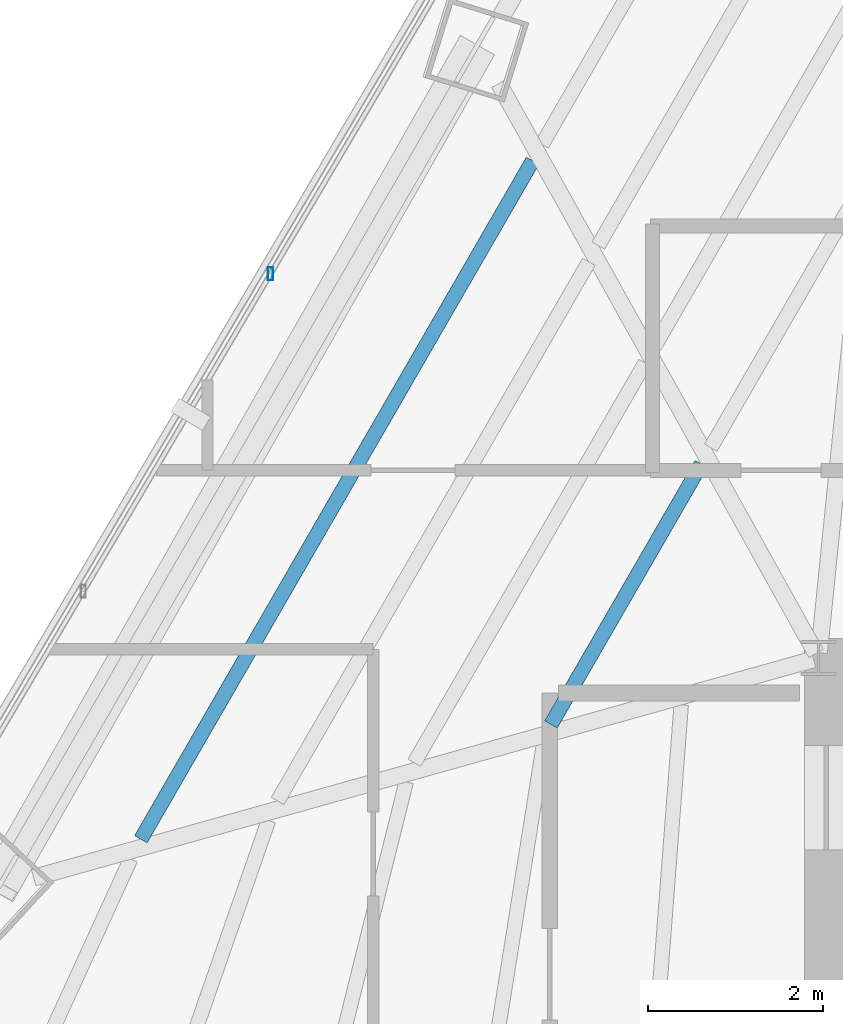
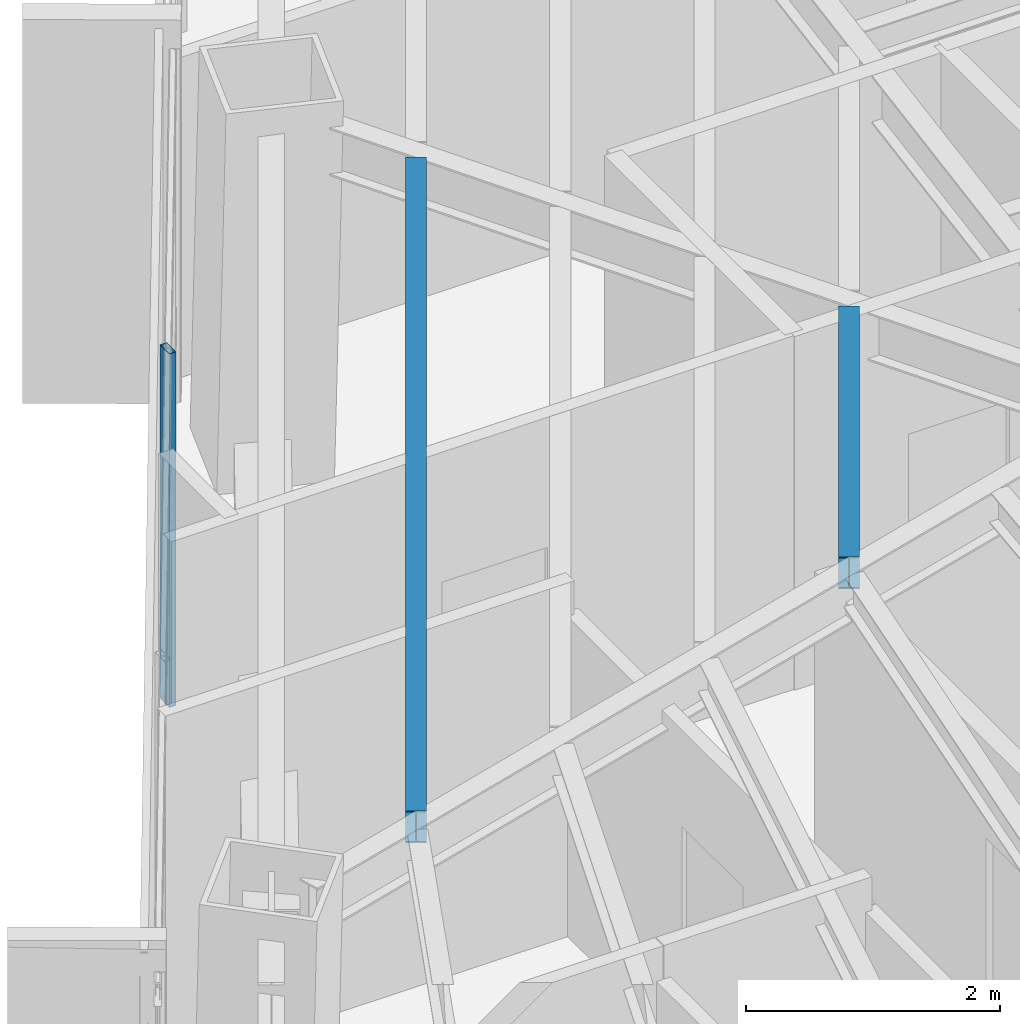
# One storey, part 15 of 41: 2 beams, 1 member, 1 element without a shape of its own.
"""IFC4 building model written with IfcOpenShell, lengths in metres."""

import ifcopenshell
import ifcopenshell.guid

model = None  # the IFC model being written
_history = None  # IfcOwnerHistory: only IFC2X3 demands one
_inside = {}  # id of a spatial element -> (the spatial element, [elements in it])
_under = {}  # id of a project, library or spatial element -> (it, [spatial elements below it])
_declared = {}  # id of a project -> (the project, [libraries it declares])
_typed = {}  # id of a type object -> (the type object, [elements of that type])
_made_of = {}  # id of a material, layer set ... -> (it, [elements and type objects made of it])


def new_model(schema):
    """Start an empty IFC model of exactly this schema.

    Asked for "IFC4X3", IfcOpenShell would pick the latest addendum, in which some entities
    have other attributes; the version numbers below select the first issue.
    IFC2X3 requires an IfcOwnerHistory on every rooted entity: one is made here for all.
    """
    global model, _history
    if schema == "IFC4X3":
        model = ifcopenshell.file(schema_version=(4, 3, 0, 0))
    else:
        model = ifcopenshell.file(schema=schema)
    _inside.clear()
    _under.clear()
    _declared.clear()
    _typed.clear()
    _made_of.clear()
    _history = None
    if model.schema == "IFC2X3":
        org = make("IfcOrganization", Name="unknown")
        user = make(
            "IfcPersonAndOrganization",
            ThePerson=make("IfcPerson", FamilyName="unknown"),
            TheOrganization=org,
        )
        app = make(
            "IfcApplication",
            ApplicationDeveloper=org,
            Version="unknown",
            ApplicationFullName="unknown",
            ApplicationIdentifier="unknown",
        )
        _history = make(
            "IfcOwnerHistory",
            OwningUser=user,
            OwningApplication=app,
            ChangeAction="ADDED",
            CreationDate=0,
        )
    return model


def make(cls, **values):
    """One entity of the class cls with the attributes given. An attribute that is None is left unset."""
    return model.create_entity(
        cls, **{name: value for name, value in values.items() if value is not None}
    )


def rooted(cls, **values):
    """An entity with a GlobalId (a new one), such as an element, a storey or a relation."""
    return make(cls, GlobalId=ifcopenshell.guid.new(), OwnerHistory=_history, **values)


def si_unit(unit_type, name, prefix=None):
    """IfcSIUnit, for example si_unit("LENGTHUNIT", "METRE", prefix="MILLI")."""
    return make("IfcSIUnit", UnitType=unit_type, Prefix=prefix, Name=name)


def assignment(units):
    """IfcUnitAssignment: the units of a project."""
    return None if units is None else make("IfcUnitAssignment", Units=units)


def point(xyz):
    """IfcCartesianPoint."""
    return None if xyz is None else make("IfcCartesianPoint", Coordinates=xyz)


def direction(xyz):
    """IfcDirection."""
    return None if xyz is None else make("IfcDirection", DirectionRatios=xyz)


def frame(location, z_axis=None, x_axis=None):
    """IfcAxis2Placement3D, a coordinate frame: its origin and axes. An axis left out is left unset."""
    return make(
        "IfcAxis2Placement3D",
        Location=point(location),
        Axis=direction(z_axis),
        RefDirection=direction(x_axis),
    )


def frame_2d(location, x_axis=None):
    """IfcAxis2Placement2D, a coordinate frame in the plane: its origin and x axis."""
    return make(
        "IfcAxis2Placement2D", Location=point(location), RefDirection=direction(x_axis)
    )


def origin():
    """The frame at (0, 0, 0) with its axes left unset."""
    return frame((0.0, 0.0, 0.0))


def origin_2d():
    """The frame at (0, 0) in the plane with its x axis left unset."""
    return frame_2d((0.0, 0.0))


def place(relative_to, where):
    """IfcLocalPlacement: puts the frame where relative to a parent placement (None: the world)."""
    return make(
        "IfcLocalPlacement", PlacementRelTo=relative_to, RelativePlacement=where
    )


def context(
    kind, dimensions, precision=None, world=None, true_north=None, identifier=None
):
    """IfcGeometricRepresentationContext, for example the 3D "Model" context."""
    return make(
        "IfcGeometricRepresentationContext",
        ContextIdentifier=identifier,
        ContextType=kind,
        CoordinateSpaceDimension=dimensions,
        Precision=precision,
        WorldCoordinateSystem=world,
        TrueNorth=true_north,
    )


def subcontext(parent, identifier, kind, view, scale=None):
    """IfcGeometricRepresentationSubContext, for example "Body" below "Model"."""
    return make(
        "IfcGeometricRepresentationSubContext",
        ContextIdentifier=identifier,
        ContextType=kind,
        ParentContext=parent,
        TargetScale=scale,
        TargetView=view,
    )


def project(units=None, contexts=None):
    """IfcProject with its units and contexts."""
    return rooted(
        "IfcProject",
        Name="project",
        RepresentationContexts=contexts,
        UnitsInContext=assignment(units),
    )


def spatial(cls, under=None, at=None, **own):
    """A site, building, storey or space (cls), placed at a placement, below another one or the project."""
    s = rooted(cls, ObjectPlacement=at, **own)
    if under is not None:
        _under.setdefault(under.id(), (under, []))[1].append(s)
    return s


def profile(cls, at=None, kind="AREA", **sizes):
    """A parametric profile (cls). Its sizes go by their IFC names, for example OverallWidth=200.0."""
    return make(cls, ProfileType=kind, Position=at, **sizes)


def hollow_rectangle(**sizes):
    """IfcRectangleHollowProfileDef."""
    return profile("IfcRectangleHollowProfileDef", **sizes)


def i_section(**sizes):
    """IfcIShapeProfileDef."""
    return profile("IfcIShapeProfileDef", **sizes)


def extrude(swept, where, along, depth):
    """IfcExtrudedAreaSolid: the profile swept, set in the frame where, extruded along a direction by depth."""
    return make(
        "IfcExtrudedAreaSolid",
        SweptArea=swept,
        Position=where,
        ExtrudedDirection=direction(along),
        Depth=depth,
    )


def shape(context_of_items, identifier, shape_type, items):
    """IfcShapeRepresentation: the items that make up one representation, for example the "Body"."""
    return make(
        "IfcShapeRepresentation",
        ContextOfItems=context_of_items,
        RepresentationIdentifier=identifier,
        RepresentationType=shape_type,
        Items=items,
    )


def source(mapping_origin, context_of_items, identifier, shape_type, items):
    """IfcRepresentationMap: a shape defined once, which mapped items show again and again."""
    return make(
        "IfcRepresentationMap",
        MappingOrigin=mapping_origin,
        MappedRepresentation=shape(context_of_items, identifier, shape_type, items),
    )


def transform(
    local_origin,
    x_axis=None,
    y_axis=None,
    z_axis=None,
    scale=None,
    scale2=None,
    scale3=None,
    uniform=True,
):
    """IfcCartesianTransformationOperator3D, or its non-uniform kind. x_axis, y_axis, z_axis: its Axis1, 2, 3."""
    if uniform:
        return make(
            "IfcCartesianTransformationOperator3D",
            Axis1=direction(x_axis),
            Axis2=direction(y_axis),
            LocalOrigin=point(local_origin),
            Scale=scale,
            Axis3=direction(z_axis),
        )
    return make(
        "IfcCartesianTransformationOperator3DnonUniform",
        Axis1=direction(x_axis),
        Axis2=direction(y_axis),
        LocalOrigin=point(local_origin),
        Scale=scale,
        Axis3=direction(z_axis),
        Scale2=scale2,
        Scale3=scale3,
    )


def mapped(mapping_source, mapping_target):
    """IfcMappedItem: shows the shape of a source again, moved by a transform."""
    return make(
        "IfcMappedItem", MappingSource=mapping_source, MappingTarget=mapping_target
    )


def material(Name=None, Category=None):
    """IfcMaterial."""
    return make("IfcMaterial", Name=Name, Category=Category)


def material_profile(
    of_material, cross_section, Name=None, Category=None, Priority=None
):
    """IfcMaterialProfile: a cross section and its material."""
    return make(
        "IfcMaterialProfile",
        Name=Name,
        Material=of_material,
        Profile=cross_section,
        Priority=Priority,
        Category=Category,
    )


def profile_set(profiles, Name=None, composite=None):
    """IfcMaterialProfileSet."""
    return make(
        "IfcMaterialProfileSet",
        Name=Name,
        MaterialProfiles=profiles,
        CompositeProfile=composite,
    )


def made_of(thing, what):
    """Note that an element or type object is made of a material, layer set ...; save() writes the relation."""
    if what is not None:
        _made_of.setdefault(what.id(), (what, []))[1].append(thing)
    return thing


def type_object(cls, material=None, **own):
    """A type object (cls), such as IfcWallType, which elements share."""
    return made_of(rooted(cls, **own), material)


def type_shapes(of_type, sources):
    """Give a type object the sources (RepresentationMaps) that its elements show as mapped items."""
    of_type.RepresentationMaps = sources


def element(
    cls,
    number,
    at=None,
    inside=None,
    cuts=None,
    type_object=None,
    material=None,
    context=None,
    identifier="Body",
    shape_type=None,
    held_by="IfcProductDefinitionShape",
    body=None,
    shapes=None,
    **own,
):
    """One element of the class cls, such as IfcWall. Its Tag is "e" and its number.

    at: its placement. inside: the storey or other place that contains it. cuts: it is an
    opening in that element (IfcRelVoidsElement). A single representation is given by context,
    identifier, shape_type and body (its items); several are given by shapes. held_by: the class
    of the entity that holds the representations. save() writes the other relations.
    """
    e = rooted(cls, Tag="e%d" % number, ObjectPlacement=at, **own)
    if body is not None:
        shapes = [shape(context, identifier, shape_type, body)]
    if shapes is not None:
        e.Representation = make(held_by, Representations=shapes)
    if inside is not None:
        _inside.setdefault(inside.id(), (inside, []))[1].append(e)
    if cuts is not None:
        rooted(
            "IfcRelVoidsElement", RelatingBuildingElement=cuts, RelatedOpeningElement=e
        )
    if type_object is not None:
        _typed.setdefault(type_object.id(), (type_object, []))[1].append(e)
    return made_of(e, material)


def aggregate(whole, parts):
    """IfcRelAggregates: a whole, such as a stair, and the parts it consists of."""
    return rooted("IfcRelAggregates", RelatingObject=whole, RelatedObjects=parts)


def save(model, path):
    """Write the relations noted so far, then the file.

    IfcRelAggregates (storeys below a building ...), IfcRelContainedInSpatialStructure (elements
    in a storey), IfcRelDefinesByType, IfcRelAssociatesMaterial and IfcRelDeclares: one each for
    every whole, place, type object, material and project.
    """
    for whole, parts in _under.values():
        aggregate(whole, parts)
    for where, things in _inside.values():
        rooted(
            "IfcRelContainedInSpatialStructure",
            RelatedElements=things,
            RelatingStructure=where,
        )
    for kind, things in _typed.values():
        rooted("IfcRelDefinesByType", RelatedObjects=things, RelatingType=kind)
    for what, things in _made_of.values():
        rooted("IfcRelAssociatesMaterial", RelatedObjects=things, RelatingMaterial=what)
    for by, libraries in _declared.values():
        rooted("IfcRelDeclares", RelatingContext=by, RelatedDefinitions=libraries)
    model.write(path)


model = new_model("IFC4")

# Units and contexts
model_context = context("Model", 3, precision=1e-05, world=origin(), true_north=direction((0.0, 1.0)))
body_context = subcontext(model_context, "Body", "Model", "MODEL_VIEW")
ifc_project = project(units=[si_unit("LENGTHUNIT", "METRE"), si_unit("AREAUNIT", "SQUARE_METRE"), si_unit("VOLUMEUNIT", "CUBIC_METRE"), si_unit("PLANEANGLEUNIT", "RADIAN"), si_unit("MASSUNIT", "GRAM", prefix="KILO")], contexts=[model_context])

# Site, building, storey
site_placement = place(None, origin())
site = spatial("IfcSite", under=ifc_project, at=site_placement, CompositionType="ELEMENT")
building_placement = place(site_placement, origin())
building = spatial("IfcBuilding", under=site, at=building_placement, Name="Caelisora Broadcast Tower", CompositionType="ELEMENT")
storey_placement = place(building_placement, frame((0.0, 0.0, 169.449951171875)))
storey = spatial("IfcBuildingStorey", under=building, at=storey_placement, Name="L44", CompositionType="ELEMENT", Elevation=169.449951171875)

# Beams
ifc_material_1 = material(Name="Steel Grade 350 (AS/NZS 3679.1)", Category="steel")
ifc_material_profile_1 = material_profile(ifc_material_1, i_section(OverallWidth=0.166015625, OverallDepth=0.30712890625, WebThickness=0.006591796875, FlangeThickness=0.01171875, at=origin_2d()), Name="Steel Grade 350 (AS/NZS 3679.1)")
ifc_profile_set_1 = profile_set([ifc_material_profile_1], Name="Steel Grade 350 (AS/NZS 3679.1)")
beam_type = type_object("IfcBeamType", Name="SB03", PredefinedType="JOIST", material=ifc_profile_set_1)
shared_shape_1 = source(origin(), body_context, "Body", "SweptSolid", [
    extrude(i_section(OverallWidth=0.166015625, OverallDepth=0.30712890625, WebThickness=0.006591796875, FlangeThickness=0.01171875, at=origin_2d()), origin(), (0.0, 0.0, 1.0), 3.4453125),
])
beam_1_placement = place(storey_placement, frame((29.156982421875, 32.222412109375, 3.246337890625), z_axis=(-0.500010754882, -0.866019194361, 0.0), x_axis=(0.866019194361, -0.500010754882, 0.0)))
element("IfcBeam", 1, at=beam_1_placement, inside=storey, type_object=beam_type, Name="L44 beam SB03", PredefinedType="JOIST", context=body_context, shape_type="MappedRepresentation", body=[
    mapped(shared_shape_1, transform((0.0, 0.0, 0.0), scale=1.0)),
])
shared_shape_2 = source(origin(), body_context, "Body", "SweptSolid", [
    extrude(i_section(OverallWidth=0.166015625, OverallDepth=0.30712890625, WebThickness=0.006591796875, FlangeThickness=0.01171875, at=origin_2d()), origin(), (0.0, 0.0, 1.0), 8.975830078125),
])
type_shapes(beam_type, [shared_shape_1, shared_shape_2])
beam_2_placement = place(storey_placement, frame((27.223876953125, 35.69677734375, 3.246337890625), z_axis=(-0.500015193347, -0.866016631724, 0.0), x_axis=(0.866016631724, -0.500015193347, 0.0)))
element("IfcBeam", 2, at=beam_2_placement, inside=storey, type_object=beam_type, Name="L44 beam SB03", PredefinedType="JOIST", context=body_context, shape_type="MappedRepresentation", body=[
    mapped(shared_shape_2, transform((0.0, 0.0, 0.0), scale=1.0)),
])

# Curtain wall, member
ifc_material_2 = material(Name="Unitised Aluminium Insulated Shadow-Box Spandrel Curtain Wall", Category="aluminium")
curtain_wall_type = type_object("IfcCurtainWallType", Name="CW-SP2", PredefinedType="NOTDEFINED", material=ifc_material_2)
curtain_wall_placement = place(storey_placement, origin())
curtain_wall = element("IfcCurtainWall", 3, at=curtain_wall_placement, inside=storey, type_object=curtain_wall_type, Name="L44 curtain wall CW-SP2", PredefinedType="NOTDEFINED")
ifc_material_3 = material(Name="Aluminium 6063-T6 Anodised Terracotta Bronze", Category="aluminium")
ifc_material_profile_2 = material_profile(ifc_material_3, hollow_rectangle(XDim=0.06005859375, YDim=0.14990234375, WallThickness=0.00341796875, at=origin_2d()), Name="Aluminium 6063-T6 Anodised Terracotta Bronze")
ifc_profile_set_2 = profile_set([ifc_material_profile_2], Name="Aluminium 6063-T6 Anodised Terracotta Bronze")
member_type = type_object("IfcMemberType", Name="CWM-03", PredefinedType="MULLION", material=ifc_profile_set_2)
shared_shape_3 = source(origin(), body_context, "Body", "SweptSolid", [
    extrude(hollow_rectangle(XDim=0.06005859375, YDim=0.14990234375, WallThickness=0.00341796875, at=origin_2d()), origin(), (0.0, 0.0, 1.0), 3.400146484375),
])
type_shapes(member_type, [shared_shape_3])
member_placement = place(storey_placement, frame((24.2216796875, 34.40087890625, 0.0), z_axis=(0.0, 0.0, 1.0), x_axis=(1.0, 0.0, 0.0)))
member = element("IfcMember", 4, at=member_placement, type_object=member_type, Name="L44-CW-B10 mullion #2", PredefinedType="MULLION", context=body_context, shape_type="MappedRepresentation", body=[
    mapped(shared_shape_3, transform((0.0, 0.0, 0.0), scale=1.0)),
])
aggregate(curtain_wall, [member])

save(model, "model.ifc")
